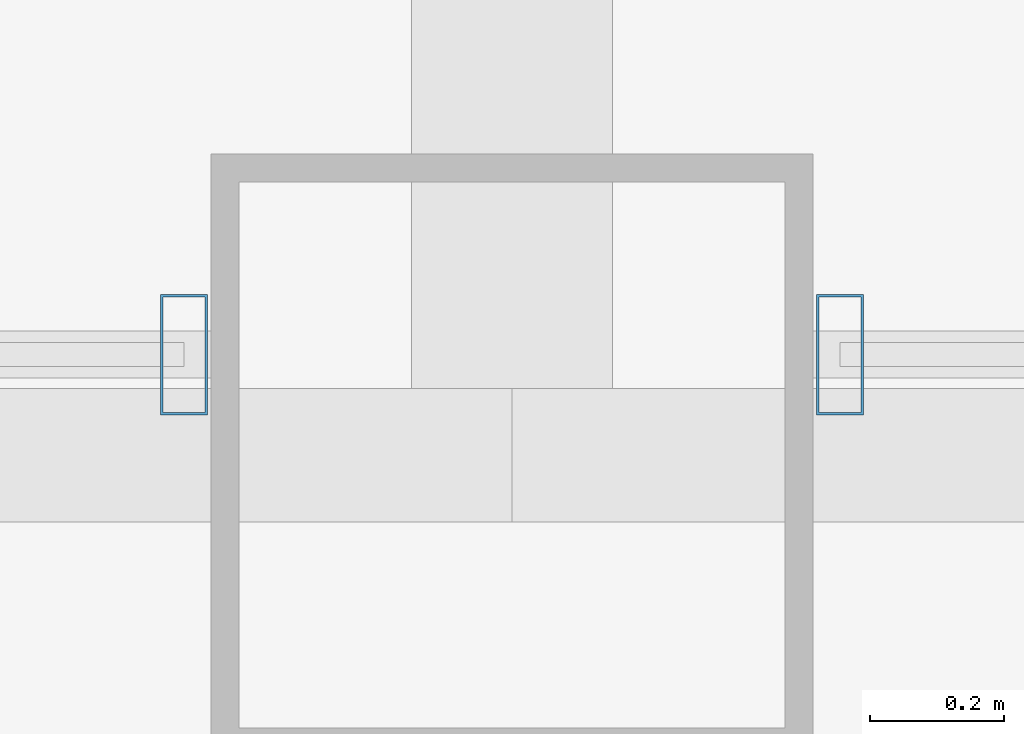
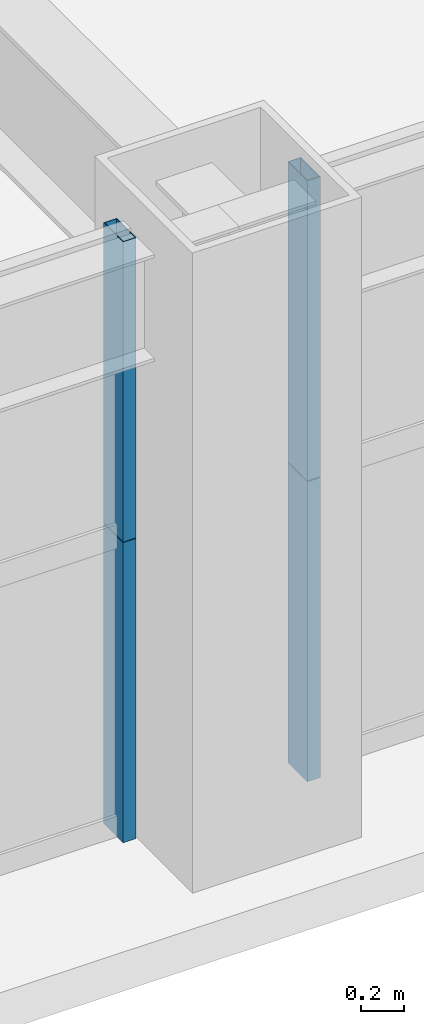
# One storey, part 7 of 43: 4 members, 2 elements without a shape of their own.
"""IFC4 building model written with IfcOpenShell, lengths in metres."""

from ifc_helpers import new_model, si_unit, direction, frame, origin, origin_2d, place, context, subcontext, project, spatial, hollow_rectangle, extrude, source, transform, mapped, material, layer, layer_set, material_profile, profile_set, type_object, element, aggregate, save


model = new_model("IFC4")

# Units and contexts
model_context = context("Model", 3, precision=1e-05, world=origin(), true_north=direction((0.0, 1.0)))
body_context = subcontext(model_context, "Body", "Model", "MODEL_VIEW")
ifc_project = project(units=[si_unit("LENGTHUNIT", "METRE"), si_unit("AREAUNIT", "SQUARE_METRE"), si_unit("VOLUMEUNIT", "CUBIC_METRE"), si_unit("PLANEANGLEUNIT", "RADIAN"), si_unit("MASSUNIT", "GRAM", prefix="KILO"), si_unit("THERMODYNAMICTEMPERATUREUNIT", "KELVIN"), si_unit("POWERUNIT", "WATT")], contexts=[model_context])

# Site, building, storey
site_placement = place(None, origin())
site = spatial("IfcSite", under=ifc_project, at=site_placement, CompositionType="ELEMENT")
building_placement = place(site_placement, origin())
building = spatial("IfcBuilding", under=site, at=building_placement, Name="Yuzanri Waterfront Tower", CompositionType="ELEMENT")
storey_placement = place(building_placement, frame((0.0, 0.0, 60.39990234375)))
storey = spatial("IfcBuildingStorey", under=building, at=storey_placement, Name="L15", CompositionType="ELEMENT", Elevation=60.39990234375)

# Curtain wall, members
ifc_material_1 = material(Name="Anodized Architectural Bronze", Category="metal")
ifc_layer = layer(ifc_material_1, 0.159912109375)
ifc_layer_set = layer_set([ifc_layer], Name="Anodized Architectural Bronze")
curtain_wall_type = type_object("IfcCurtainWallType", Name="Anodized Bronze Hotel Lower-Tier Recessed Unitized Curtain Wall 8100", PredefinedType="NOTDEFINED", material=ifc_layer_set)
curtain_wall_1_placement = place(storey_placement, origin())
curtain_wall_1 = element("IfcCurtainWall", 1, at=curtain_wall_1_placement, inside=storey, type_object=curtain_wall_type, Name="L15 Curtain Wall CW-L15-SL", PredefinedType="NOTDEFINED")
ifc_material_2 = material(Name="Anodized Architectural Bronze", Category="metal")
ifc_material_profile = material_profile(ifc_material_2, hollow_rectangle(XDim=0.070068359375, YDim=0.179931640625, WallThickness=0.00390625, at=origin_2d()), Name="CWM 70x180")
ifc_profile_set = profile_set([ifc_material_profile], Name="Anodized Architectural Bronze")
member_type = type_object("IfcMemberType", Name="Anodized Bronze Standard Curtain-Wall Mullion 70x180", PredefinedType="MULLION", material=ifc_profile_set)
shared_shape = source(origin(), body_context, "Body", "SweptSolid", [
    extrude(hollow_rectangle(XDim=0.070068359375, YDim=0.179931640625, WallThickness=0.00390625, at=origin_2d()), origin(), (0.0, 0.0, 1.0), 1.68798828125),
])
member_1_placement = place(storey_placement, frame((36.510009765625, 0.85009765625, 0.0), z_axis=(0.0, 0.0, 1.0), x_axis=(1.0, 0.0, 0.0)))
member_1 = element("IfcMember", 2, at=member_1_placement, type_object=member_type, Name="CW-L15-SL Lower Mullion 02", PredefinedType="MULLION", context=body_context, shape_type="MappedRepresentation", body=[
    mapped(shared_shape, transform((0.0, 0.0, 0.0), scale=1.0)),
])
member_2_placement = place(storey_placement, frame((36.510009765625, 0.85009765625, 1.692138671875), z_axis=(0.0, 0.0, 1.0), x_axis=(1.0, 0.0, 0.0)))
member_2 = element("IfcMember", 3, at=member_2_placement, type_object=member_type, Name="CW-L15-SL Upper Mullion 02", PredefinedType="MULLION", context=body_context, shape_type="MappedRepresentation", body=[
    mapped(shared_shape, transform((0.0, 0.0, 0.0), scale=1.0)),
])
aggregate(curtain_wall_1, [member_1, member_2])

curtain_wall_2_placement = place(storey_placement, origin())
curtain_wall_2 = element("IfcCurtainWall", 4, at=curtain_wall_2_placement, inside=storey, type_object=curtain_wall_type, Name="L15 Curtain Wall CW-L15-SR", PredefinedType="NOTDEFINED")
member_3_placement = place(storey_placement, frame((37.489990234375, 0.85009765625, 0.0), z_axis=(0.0, 0.0, 1.0), x_axis=(1.0, 0.0, 0.0)))
member_3 = element("IfcMember", 5, at=member_3_placement, type_object=member_type, Name="CW-L15-SR Lower Mullion 00", PredefinedType="MULLION", context=body_context, shape_type="MappedRepresentation", body=[
    mapped(shared_shape, transform((0.0, 0.0, 0.0), scale=1.0)),
])
member_4_placement = place(storey_placement, frame((37.489990234375, 0.85009765625, 1.692138671875), z_axis=(0.0, 0.0, 1.0), x_axis=(1.0, 0.0, 0.0)))
member_4 = element("IfcMember", 6, at=member_4_placement, type_object=member_type, Name="CW-L15-SR Upper Mullion 00", PredefinedType="MULLION", context=body_context, shape_type="MappedRepresentation", body=[
    mapped(shared_shape, transform((0.0, 0.0, 0.0), scale=1.0)),
])
aggregate(curtain_wall_2, [member_3, member_4])

save(model, "model.ifc")
